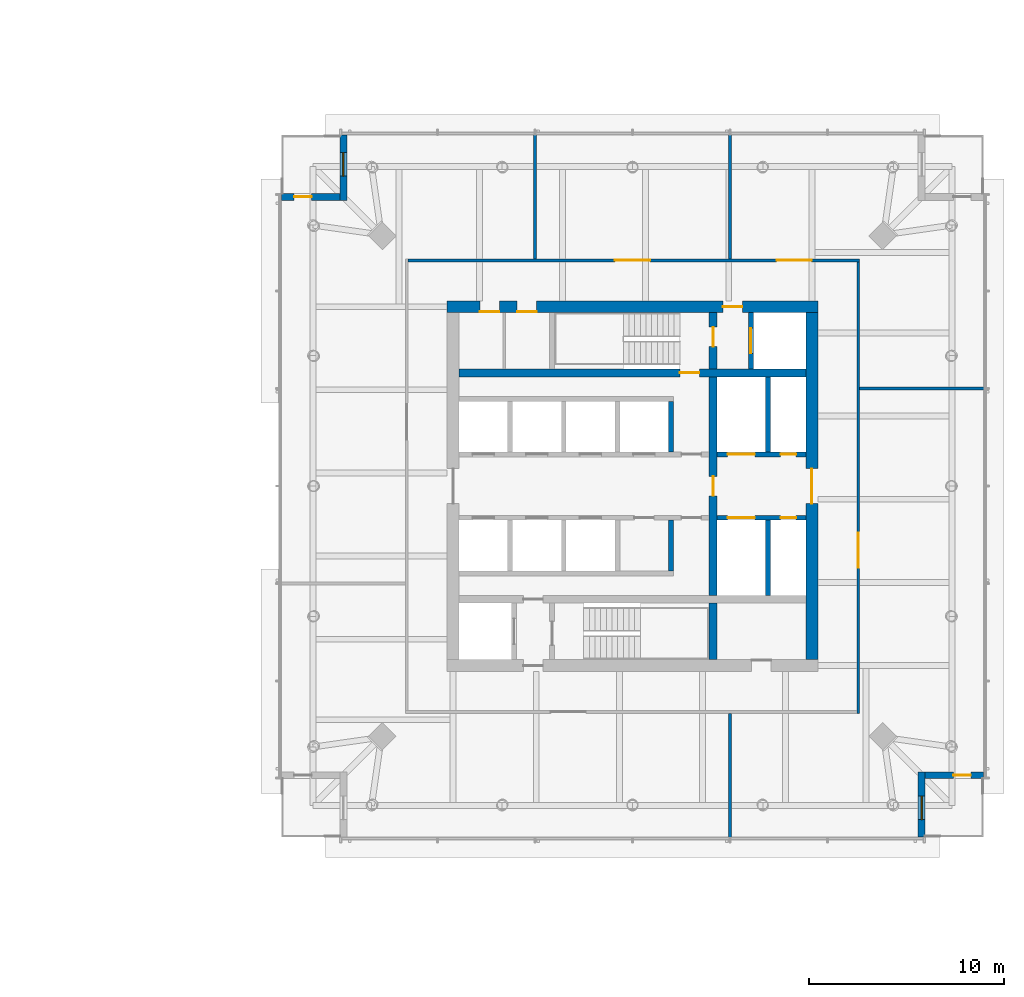
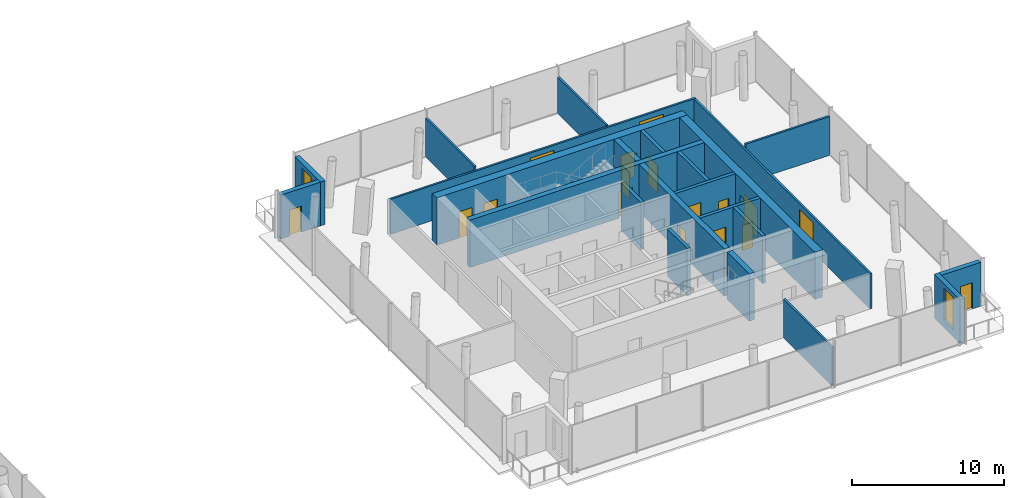
# One storey, part 14 of 28: 23 walls, 17 doors, 2 windows, 19 openings.
"""IFC4 building model written with IfcOpenShell, lengths in metres."""

import ifcopenshell
import ifcopenshell.guid

model = None  # the IFC model being written
_history = None  # IfcOwnerHistory: only IFC2X3 demands one
_inside = {}  # id of a spatial element -> (the spatial element, [elements in it])
_under = {}  # id of a project, library or spatial element -> (it, [spatial elements below it])
_declared = {}  # id of a project -> (the project, [libraries it declares])
_typed = {}  # id of a type object -> (the type object, [elements of that type])
_made_of = {}  # id of a material, layer set ... -> (it, [elements and type objects made of it])


def new_model(schema):
    """Start an empty IFC model of exactly this schema.

    Asked for "IFC4X3", IfcOpenShell would pick the latest addendum, in which some entities
    have other attributes; the version numbers below select the first issue.
    IFC2X3 requires an IfcOwnerHistory on every rooted entity: one is made here for all.
    """
    global model, _history
    if schema == "IFC4X3":
        model = ifcopenshell.file(schema_version=(4, 3, 0, 0))
    else:
        model = ifcopenshell.file(schema=schema)
    _inside.clear()
    _under.clear()
    _declared.clear()
    _typed.clear()
    _made_of.clear()
    _history = None
    if model.schema == "IFC2X3":
        org = make("IfcOrganization", Name="unknown")
        user = make(
            "IfcPersonAndOrganization",
            ThePerson=make("IfcPerson", FamilyName="unknown"),
            TheOrganization=org,
        )
        app = make(
            "IfcApplication",
            ApplicationDeveloper=org,
            Version="unknown",
            ApplicationFullName="unknown",
            ApplicationIdentifier="unknown",
        )
        _history = make(
            "IfcOwnerHistory",
            OwningUser=user,
            OwningApplication=app,
            ChangeAction="ADDED",
            CreationDate=0,
        )
    return model


def make(cls, **values):
    """One entity of the class cls with the attributes given. An attribute that is None is left unset."""
    return model.create_entity(
        cls, **{name: value for name, value in values.items() if value is not None}
    )


def rooted(cls, **values):
    """An entity with a GlobalId (a new one), such as an element, a storey or a relation."""
    return make(cls, GlobalId=ifcopenshell.guid.new(), OwnerHistory=_history, **values)


def si_unit(unit_type, name, prefix=None):
    """IfcSIUnit, for example si_unit("LENGTHUNIT", "METRE", prefix="MILLI")."""
    return make("IfcSIUnit", UnitType=unit_type, Prefix=prefix, Name=name)


def assignment(units):
    """IfcUnitAssignment: the units of a project."""
    return None if units is None else make("IfcUnitAssignment", Units=units)


def point(xyz):
    """IfcCartesianPoint."""
    return None if xyz is None else make("IfcCartesianPoint", Coordinates=xyz)


def direction(xyz):
    """IfcDirection."""
    return None if xyz is None else make("IfcDirection", DirectionRatios=xyz)


def frame(location, z_axis=None, x_axis=None):
    """IfcAxis2Placement3D, a coordinate frame: its origin and axes. An axis left out is left unset."""
    return make(
        "IfcAxis2Placement3D",
        Location=point(location),
        Axis=direction(z_axis),
        RefDirection=direction(x_axis),
    )


def frame_2d(location, x_axis=None):
    """IfcAxis2Placement2D, a coordinate frame in the plane: its origin and x axis."""
    return make(
        "IfcAxis2Placement2D", Location=point(location), RefDirection=direction(x_axis)
    )


def origin():
    """The frame at (0, 0, 0) with its axes left unset."""
    return frame((0.0, 0.0, 0.0))


def place(relative_to, where):
    """IfcLocalPlacement: puts the frame where relative to a parent placement (None: the world)."""
    return make(
        "IfcLocalPlacement", PlacementRelTo=relative_to, RelativePlacement=where
    )


def context(
    kind, dimensions, precision=None, world=None, true_north=None, identifier=None
):
    """IfcGeometricRepresentationContext, for example the 3D "Model" context."""
    return make(
        "IfcGeometricRepresentationContext",
        ContextIdentifier=identifier,
        ContextType=kind,
        CoordinateSpaceDimension=dimensions,
        Precision=precision,
        WorldCoordinateSystem=world,
        TrueNorth=true_north,
    )


def subcontext(parent, identifier, kind, view, scale=None):
    """IfcGeometricRepresentationSubContext, for example "Body" below "Model"."""
    return make(
        "IfcGeometricRepresentationSubContext",
        ContextIdentifier=identifier,
        ContextType=kind,
        ParentContext=parent,
        TargetScale=scale,
        TargetView=view,
    )


def project(units=None, contexts=None):
    """IfcProject with its units and contexts."""
    return rooted(
        "IfcProject",
        Name="project",
        RepresentationContexts=contexts,
        UnitsInContext=assignment(units),
    )


def spatial(cls, under=None, at=None, **own):
    """A site, building, storey or space (cls), placed at a placement, below another one or the project."""
    s = rooted(cls, ObjectPlacement=at, **own)
    if under is not None:
        _under.setdefault(under.id(), (under, []))[1].append(s)
    return s


def profile(cls, at=None, kind="AREA", **sizes):
    """A parametric profile (cls). Its sizes go by their IFC names, for example OverallWidth=200.0."""
    return make(cls, ProfileType=kind, Position=at, **sizes)


def rectangle(**sizes):
    """IfcRectangleProfileDef."""
    return profile("IfcRectangleProfileDef", **sizes)


def extrude(swept, where, along, depth):
    """IfcExtrudedAreaSolid: the profile swept, set in the frame where, extruded along a direction by depth."""
    return make(
        "IfcExtrudedAreaSolid",
        SweptArea=swept,
        Position=where,
        ExtrudedDirection=direction(along),
        Depth=depth,
    )


def shape(context_of_items, identifier, shape_type, items):
    """IfcShapeRepresentation: the items that make up one representation, for example the "Body"."""
    return make(
        "IfcShapeRepresentation",
        ContextOfItems=context_of_items,
        RepresentationIdentifier=identifier,
        RepresentationType=shape_type,
        Items=items,
    )


def material(Name=None, Category=None):
    """IfcMaterial."""
    return make("IfcMaterial", Name=Name, Category=Category)


def layer(
    of_material, thickness, ventilated=None, Name=None, Category=None, Priority=None
):
    """IfcMaterialLayer: one layer of a wall or slab, of a material (None: an air gap)."""
    return make(
        "IfcMaterialLayer",
        Material=of_material,
        LayerThickness=thickness,
        IsVentilated=ventilated,
        Name=Name,
        Category=Category,
        Priority=Priority,
    )


def layer_set(layers, Name=None):
    """IfcMaterialLayerSet."""
    return make("IfcMaterialLayerSet", MaterialLayers=layers, LayerSetName=Name)


def made_of(thing, what):
    """Note that an element or type object is made of a material, layer set ...; save() writes the relation."""
    if what is not None:
        _made_of.setdefault(what.id(), (what, []))[1].append(thing)
    return thing


def type_object(cls, material=None, **own):
    """A type object (cls), such as IfcWallType, which elements share."""
    return made_of(rooted(cls, **own), material)


def element(
    cls,
    number,
    at=None,
    inside=None,
    cuts=None,
    type_object=None,
    material=None,
    context=None,
    identifier="Body",
    shape_type=None,
    held_by="IfcProductDefinitionShape",
    body=None,
    shapes=None,
    **own,
):
    """One element of the class cls, such as IfcWall. Its Tag is "e" and its number.

    at: its placement. inside: the storey or other place that contains it. cuts: it is an
    opening in that element (IfcRelVoidsElement). A single representation is given by context,
    identifier, shape_type and body (its items); several are given by shapes. held_by: the class
    of the entity that holds the representations. save() writes the other relations.
    """
    e = rooted(cls, Tag="e%d" % number, ObjectPlacement=at, **own)
    if body is not None:
        shapes = [shape(context, identifier, shape_type, body)]
    if shapes is not None:
        e.Representation = make(held_by, Representations=shapes)
    if inside is not None:
        _inside.setdefault(inside.id(), (inside, []))[1].append(e)
    if cuts is not None:
        rooted(
            "IfcRelVoidsElement", RelatingBuildingElement=cuts, RelatedOpeningElement=e
        )
    if type_object is not None:
        _typed.setdefault(type_object.id(), (type_object, []))[1].append(e)
    return made_of(e, material)


def fill(opening, filler):
    """IfcRelFillsElement: the door or window that sits in an opening."""
    return rooted(
        "IfcRelFillsElement",
        RelatingOpeningElement=opening,
        RelatedBuildingElement=filler,
    )


def aggregate(whole, parts):
    """IfcRelAggregates: a whole, such as a stair, and the parts it consists of."""
    return rooted("IfcRelAggregates", RelatingObject=whole, RelatedObjects=parts)


def save(model, path):
    """Write the relations noted so far, then the file.

    IfcRelAggregates (storeys below a building ...), IfcRelContainedInSpatialStructure (elements
    in a storey), IfcRelDefinesByType, IfcRelAssociatesMaterial and IfcRelDeclares: one each for
    every whole, place, type object, material and project.
    """
    for whole, parts in _under.values():
        aggregate(whole, parts)
    for where, things in _inside.values():
        rooted(
            "IfcRelContainedInSpatialStructure",
            RelatedElements=things,
            RelatingStructure=where,
        )
    for kind, things in _typed.values():
        rooted("IfcRelDefinesByType", RelatedObjects=things, RelatingType=kind)
    for what, things in _made_of.values():
        rooted("IfcRelAssociatesMaterial", RelatedObjects=things, RelatingMaterial=what)
    for by, libraries in _declared.values():
        rooted("IfcRelDeclares", RelatingContext=by, RelatedDefinitions=libraries)
    model.write(path)


model = new_model("IFC4")

# Units and contexts
model_context = context("Model", 3, precision=1e-05, world=origin(), true_north=direction((0.0, 1.0)))
body_context = subcontext(model_context, "Body", "Model", "MODEL_VIEW")
ifc_project = project(units=[si_unit("LENGTHUNIT", "METRE"), si_unit("AREAUNIT", "SQUARE_METRE"), si_unit("VOLUMEUNIT", "CUBIC_METRE"), si_unit("PLANEANGLEUNIT", "RADIAN"), si_unit("MASSUNIT", "GRAM", prefix="KILO")], contexts=[model_context])

# Site, building, storey
site_placement = place(None, origin())
site = spatial("IfcSite", under=ifc_project, at=site_placement, CompositionType="ELEMENT")
building_placement = place(site_placement, origin())
building = spatial("IfcBuilding", under=site, at=building_placement, Name="Ostroluk Exchange", CompositionType="ELEMENT")
storey_placement = place(building_placement, frame((0.0, 0.0, 81.800048828125)))
storey = spatial("IfcBuildingStorey", under=building, at=storey_placement, Name="L20", CompositionType="ELEMENT", Elevation=81.800048828125)

# Wall
ifc_material_1 = material(Name="Concrete blockwork", Category="masonry")
ifc_layer_1 = layer(ifc_material_1, 0.14990234375)
ifc_layer_set_1 = layer_set([ifc_layer_1], Name="Blockwork plant room wall 150")
wall_type_1 = type_object("IfcWallType", Name="Blockwork plant room wall 150", PredefinedType="SOLIDWALL", material=ifc_layer_set_1)
wall_1_placement = place(storey_placement, frame((122.0, 57.64990234375, 0.0), z_axis=(0.0, 0.0, 1.0), x_axis=(0.0, 1.0, 0.0)))
element("IfcWall", 1, at=wall_1_placement, inside=storey, type_object=wall_type_1, Name="Plant room wall", PredefinedType="SOLIDWALL", context=body_context, shape_type="SweptSolid", body=[
    extrude(rectangle(XDim=6.39013671875, YDim=0.14990234375, at=frame_2d((3.195068359375, 0.0))), origin(), (0.0, 0.0, 1.0), 2.919921875),
])

# Wall, opening, door
ifc_material_2 = material(Name="Concrete C50/60", Category="concrete")
ifc_layer_2 = layer(ifc_material_2, 0.39990234375)
ifc_layer_set_2 = layer_set([ifc_layer_2], Name="Core cross wall 400 C50/60")
wall_type_2 = type_object("IfcWallType", Name="Core cross wall 400 C50/60", PredefinedType="SHEAR", material=ifc_layer_set_2)
wall_2_placement = place(storey_placement, frame((108.10009765625, 51.800048828125, 0.0), z_axis=(0.0, 0.0, 1.0), x_axis=(1.0, 0.0, 0.0)))
wall_2 = element("IfcWall", 2, at=wall_2_placement, inside=storey, type_object=wall_type_2, Name="T2 core wall XN", PredefinedType="SHEAR", context=body_context, shape_type="SweptSolid", body=[
    extrude(rectangle(XDim=17.7998046875, YDim=0.39990234375, at=frame_2d((8.89990234375, 0.0))), origin(), (0.0, 0.0, 1.0), 3.800048828125),
])
opening_1_placement = place(wall_2_placement, frame((11.330078125, 0.0, 0.0)))
opening_1 = element("IfcOpeningElement", 3, at=opening_1_placement, cuts=wall_2, Name="Opening FD60", PredefinedType="OPENING", context=body_context, shape_type="SweptSolid", body=[
    extrude(rectangle(XDim=1.0, YDim=2.10009765625, at=frame_2d((0.5, 1.050048828125))), frame((0.0, 0.2099609375, 0.0), z_axis=(0.0, -1.0, 0.0), x_axis=(1.0, 0.0, 0.0)), (0.0, 0.0, 1.0), 0.419921875),
])
ifc_material_3 = material(Name="Steel", Category="steel")
door_type_1 = type_object("IfcDoorType", Name="Fire door EI 60 1000 x 2100", OperationType="SINGLE_SWING_LEFT", PredefinedType="DOOR", material=ifc_material_3)
door_1_placement = place(opening_1_placement, origin())
door_1 = element("IfcDoor", 4, at=door_1_placement, inside=storey, type_object=door_type_1, Name="Stair T2-S2 lobby door", OperationType="SINGLE_SWING_RIGHT", OverallHeight=2.10009765625, OverallWidth=1.0, PredefinedType="DOOR", context=body_context, shape_type="SweptSolid", body=[
    extrude(rectangle(XDim=1.0, YDim=2.10009765625, at=frame_2d((0.5, 1.050048828125))), frame((0.0, 0.02490234375, 0.0), z_axis=(0.0, -1.0, 0.0), x_axis=(1.0, 0.0, 0.0)), (0.0, 0.0, 1.0), 0.050048828125),
])
fill(opening_1, door_1)

# Wall
wall_3_placement = place(storey_placement, frame((121.1298828125, 37.10009765625, 0.0), z_axis=(0.0, 0.0, 1.0), x_axis=(0.0, 1.0, 0.0)))
element("IfcWall", 5, at=wall_3_placement, inside=storey, type_object=wall_type_2, Name="T2 core wall YE1", PredefinedType="SHEAR", context=body_context, shape_type="SweptSolid", body=[
    extrude(rectangle(XDim=2.89990234375, YDim=0.39990234375, at=frame_2d((1.449951171875, 0.0))), origin(), (0.0, 0.0, 1.0), 3.800048828125),
])

# Wall, opening, door
wall_4_placement = place(storey_placement, frame((121.1298828125, 40.39990234375, 0.0), z_axis=(0.0, 0.0, 1.0), x_axis=(0.0, 1.0, 0.0)))
wall_4 = element("IfcWall", 6, at=wall_4_placement, inside=storey, type_object=wall_type_2, Name="T2 core wall YE2", PredefinedType="SHEAR", context=body_context, shape_type="SweptSolid", body=[
    extrude(rectangle(XDim=11.2001953125, YDim=0.39990234375, at=frame_2d((5.60009765625, 0.0))), origin(), (0.0, 0.0, 1.0), 3.800048828125),
])
opening_2_placement = place(wall_4_placement, frame((5.10009765625, 0.0, 0.0)))
opening_2 = element("IfcOpeningElement", 7, at=opening_2_placement, cuts=wall_4, Name="Opening FD60", PredefinedType="OPENING", context=body_context, shape_type="SweptSolid", body=[
    extrude(rectangle(XDim=1.0, YDim=2.10009765625, at=frame_2d((0.5, 1.050048828125))), frame((0.0, 0.2099609375, 0.0), z_axis=(0.0, -1.0, 0.0), x_axis=(1.0, 0.0, 0.0)), (0.0, 0.0, 1.0), 0.419921875),
])
door_2_placement = place(opening_2_placement, origin())
door_2 = element("IfcDoor", 8, at=door_2_placement, inside=storey, type_object=door_type_1, Name="Core link door", OperationType="SINGLE_SWING_LEFT", OverallHeight=2.10009765625, OverallWidth=1.0, PredefinedType="DOOR", context=body_context, shape_type="SweptSolid", body=[
    extrude(rectangle(XDim=1.0, YDim=2.10009765625, at=frame_2d((0.5, 1.050048828125))), frame((0.0, 0.02490234375, 0.0), z_axis=(0.0, -1.0, 0.0), x_axis=(1.0, 0.0, 0.0)), (0.0, 0.0, 1.0), 0.050048828125),
])
fill(opening_2, door_2)

wall_5_placement = place(storey_placement, frame((121.1298828125, 52.0, 0.0), z_axis=(0.0, 0.0, 1.0), x_axis=(0.0, 1.0, 0.0)))
wall_5 = element("IfcWall", 9, at=wall_5_placement, inside=storey, type_object=wall_type_2, Name="T2 core wall YE3", PredefinedType="SHEAR", context=body_context, shape_type="SweptSolid", body=[
    extrude(rectangle(XDim=2.89990234375, YDim=0.39990234375, at=frame_2d((1.449951171875, 0.0))), origin(), (0.0, 0.0, 1.0), 3.800048828125),
])
opening_3_placement = place(wall_5_placement, frame((1.14990234375, 0.0, 0.0)))
opening_3 = element("IfcOpeningElement", 10, at=opening_3_placement, cuts=wall_5, Name="Opening FD60", PredefinedType="OPENING", context=body_context, shape_type="SweptSolid", body=[
    extrude(rectangle(XDim=1.0, YDim=2.10009765625, at=frame_2d((0.5, 1.050048828125))), frame((0.0, 0.2099609375, 0.0), z_axis=(0.0, -1.0, 0.0), x_axis=(1.0, 0.0, 0.0)), (0.0, 0.0, 1.0), 0.419921875),
])
door_3_placement = place(opening_3_placement, origin())
door_3 = element("IfcDoor", 11, at=door_3_placement, inside=storey, type_object=door_type_1, Name="Stair T2-S2 door", OperationType="SINGLE_SWING_RIGHT", OverallHeight=2.10009765625, OverallWidth=1.0, PredefinedType="DOOR", context=body_context, shape_type="SweptSolid", body=[
    extrude(rectangle(XDim=1.0, YDim=2.10009765625, at=frame_2d((0.5, 1.050048828125))), frame((0.0, 0.02490234375, 0.0), z_axis=(0.0, -1.0, 0.0), x_axis=(1.0, 0.0, 0.0)), (0.0, 0.0, 1.0), 0.050048828125),
])
fill(opening_3, door_3)

ifc_material_4 = material(Name="Concrete C40/50", Category="concrete")
ifc_layer_3 = layer(ifc_material_4, 0.25)
ifc_layer_set_3 = layer_set([ifc_layer_3], Name="Core shaft wall 250")
wall_type_3 = type_object("IfcWallType", Name="Core shaft wall 250", PredefinedType="SHEAR", material=ifc_layer_set_3)
wall_6_placement = place(storey_placement, frame((123.074951171875, 52.0, 0.0), z_axis=(0.0, 0.0, 1.0), x_axis=(0.0, 1.0, 0.0)))
wall_6 = element("IfcWall", 12, at=wall_6_placement, inside=storey, type_object=wall_type_3, Name="Firefighting lift shaft wall", PredefinedType="SHEAR", context=body_context, shape_type="SweptSolid", body=[
    extrude(rectangle(XDim=2.89990234375, YDim=0.25, at=frame_2d((1.449951171875, 0.0))), origin(), (0.0, 0.0, 1.0), 3.800048828125),
])
opening_4_placement = place(wall_6_placement, frame((0.800048828125, 0.0, 0.0)))
opening_4 = element("IfcOpeningElement", 13, at=opening_4_placement, cuts=wall_6, Name="Opening LD2", PredefinedType="OPENING", context=body_context, shape_type="SweptSolid", body=[
    extrude(rectangle(XDim=1.300048828125, YDim=2.199951171875, at=frame_2d((0.64990234375, 1.10009765625))), frame((0.0, 0.135009765625, 0.0), z_axis=(0.0, -1.0, 0.0), x_axis=(1.0, 0.0, 0.0)), (0.0, 0.0, 1.0), 0.27001953125),
])
ifc_material_5 = material(Name="Stainless steel", Category="steel")
door_type_2 = type_object("IfcDoorType", Name="Lift landing door E 60 1300 x 2200", OperationType="DOUBLE_DOOR_SLIDING", PredefinedType="DOOR", material=ifc_material_5)
door_4_placement = place(opening_4_placement, origin())
door_4 = element("IfcDoor", 14, at=door_4_placement, inside=storey, type_object=door_type_2, Name="Lift HF2 landing door", OperationType="DOUBLE_DOOR_SLIDING", OverallHeight=2.199951171875, OverallWidth=1.300048828125, PredefinedType="DOOR", context=body_context, shape_type="SweptSolid", body=[
    extrude(rectangle(XDim=1.300048828125, YDim=2.199951171875, at=frame_2d((0.64990234375, 1.10009765625))), frame((0.0, 0.02490234375, 0.0), z_axis=(0.0, -1.0, 0.0), x_axis=(1.0, 0.0, 0.0)), (0.0, 0.0, 1.0), 0.050048828125),
])
fill(opening_4, door_4)

# Walls
for number, where, z_axis, x_axis, name in (
    (15, (118.97509765625, 47.75, 0.0), (0.0, 0.0, 1.0), (0.0, 1.0, 0.0), "Lift shaft wall"),
    (16, (118.97509765625, 44.25, 0.0), (0.0, 0.0, 1.0), (0.0, -1.0, 0.0), "Lift shaft wall"),
):
    element("IfcWall", number, at=place(storey_placement, frame(where, z_axis=z_axis, x_axis=x_axis)), inside=storey, type_object=wall_type_3, Name=name, PredefinedType="SHEAR", context=body_context, shape_type="SweptSolid", body=[
        extrude(rectangle(XDim=2.60009765625, YDim=0.25, at=frame_2d((1.300048828125, 0.0))), origin(), (0.0, 0.0, 1.0), 3.800048828125),
    ])
wall_7_placement = place(storey_placement, frame((123.955078125, 47.75, 0.0), z_axis=(0.0, 0.0, 1.0), x_axis=(0.0, 1.0, 0.0)))
element("IfcWall", 17, at=wall_7_placement, inside=storey, type_object=wall_type_3, Name="Lift shaft wall", PredefinedType="SHEAR", context=body_context, shape_type="SweptSolid", body=[
    extrude(rectangle(XDim=3.85009765625, YDim=0.25, at=frame_2d((1.925048828125, 0.0))), origin(), (0.0, 0.0, 1.0), 3.800048828125),
])

# Wall, openings, doors
wall_8_placement = place(storey_placement, frame((121.330078125, 47.625, 0.0), z_axis=(0.0, 0.0, 1.0), x_axis=(1.0, 0.0, 0.0)))
wall_8 = element("IfcWall", 18, at=wall_8_placement, inside=storey, type_object=wall_type_3, Name="Lift shaft front wall", PredefinedType="SHEAR", context=body_context, shape_type="SweptSolid", body=[
    extrude(rectangle(XDim=4.56982421875, YDim=0.25, at=frame_2d((2.284912109375, 0.0))), origin(), (0.0, 0.0, 1.0), 3.800048828125),
])
opening_5_placement = place(wall_8_placement, frame((0.550048828125, 0.0, 0.0)))
opening_5 = element("IfcOpeningElement", 19, at=opening_5_placement, cuts=wall_8, Name="Opening LD3", PredefinedType="OPENING", context=body_context, shape_type="SweptSolid", body=[
    extrude(rectangle(XDim=1.39990234375, YDim=2.39990234375, at=frame_2d((0.699951171875, 1.199951171875))), frame((0.0, 0.135009765625, 0.0), z_axis=(0.0, -1.0, 0.0), x_axis=(1.0, 0.0, 0.0)), (0.0, 0.0, 1.0), 0.27001953125),
])
opening_6_placement = place(wall_8_placement, frame((3.260009765625, 0.0, 0.0)))
opening_6 = element("IfcOpeningElement", 20, at=opening_6_placement, cuts=wall_8, Name="Opening RD60", PredefinedType="OPENING", context=body_context, shape_type="SweptSolid", body=[
    extrude(rectangle(XDim=0.800048828125, YDim=2.0, at=frame_2d((0.39990234375, 1.0))), frame((0.0, 0.135009765625, 0.0), z_axis=(0.0, -1.0, 0.0), x_axis=(1.0, 0.0, 0.0)), (0.0, 0.0, 1.0), 0.27001953125),
])
ifc_material_6 = material(Name="Stainless steel", Category="steel")
door_type_3 = type_object("IfcDoorType", Name="Goods lift landing door E 60 1400 x 2400", OperationType="DOUBLE_DOOR_SLIDING", PredefinedType="DOOR", material=ifc_material_6)
door_5_placement = place(opening_5_placement, origin())
door_5 = element("IfcDoor", 21, at=door_5_placement, inside=storey, type_object=door_type_3, Name="Lift HS1 landing door", OperationType="DOUBLE_DOOR_SLIDING", OverallHeight=2.39990234375, OverallWidth=1.39990234375, PredefinedType="DOOR", context=body_context, shape_type="SweptSolid", body=[
    extrude(rectangle(XDim=1.39990234375, YDim=2.39990234375, at=frame_2d((0.699951171875, 1.199951171875))), frame((0.0, 0.02490234375, 0.0), z_axis=(0.0, -1.0, 0.0), x_axis=(1.0, 0.0, 0.0)), (0.0, 0.0, 1.0), 0.050048828125),
])
fill(opening_5, door_5)
ifc_material_7 = material(Name="Steel", Category="steel")
door_type_4 = type_object("IfcDoorType", Name="Riser access door EI 60 800 x 2000", OperationType="SINGLE_SWING_LEFT", PredefinedType="DOOR", material=ifc_material_7)
door_6_placement = place(opening_6_placement, origin())
door_6 = element("IfcDoor", 22, at=door_6_placement, inside=storey, type_object=door_type_4, Name="Riser access door", OperationType="SINGLE_SWING_RIGHT", OverallHeight=2.0, OverallWidth=0.800048828125, PredefinedType="DOOR", context=body_context, shape_type="SweptSolid", body=[
    extrude(rectangle(XDim=0.800048828125, YDim=2.0, at=frame_2d((0.39990234375, 1.0))), frame((0.0, 0.02490234375, 0.0), z_axis=(0.0, -1.0, 0.0), x_axis=(1.0, 0.0, 0.0)), (0.0, 0.0, 1.0), 0.050048828125),
])
fill(opening_6, door_6)

# Wall
wall_9_placement = place(storey_placement, frame((123.955078125, 44.25, 0.0), z_axis=(0.0, 0.0, 1.0), x_axis=(0.0, -1.0, 0.0)))
element("IfcWall", 23, at=wall_9_placement, inside=storey, type_object=wall_type_3, Name="Lift shaft wall", PredefinedType="SHEAR", context=body_context, shape_type="SweptSolid", body=[
    extrude(rectangle(XDim=3.85009765625, YDim=0.25, at=frame_2d((1.925048828125, 0.0))), origin(), (0.0, 0.0, 1.0), 3.800048828125),
])

# Wall, openings, doors
wall_10_placement = place(storey_placement, frame((121.330078125, 44.375, 0.0), z_axis=(0.0, 0.0, 1.0), x_axis=(1.0, 0.0, 0.0)))
wall_10 = element("IfcWall", 24, at=wall_10_placement, inside=storey, type_object=wall_type_3, Name="Lift shaft front wall", PredefinedType="SHEAR", context=body_context, shape_type="SweptSolid", body=[
    extrude(rectangle(XDim=4.56982421875, YDim=0.25, at=frame_2d((2.284912109375, 0.0))), origin(), (0.0, 0.0, 1.0), 3.800048828125),
])
opening_7_placement = place(wall_10_placement, frame((0.550048828125, 0.0, 0.0)))
opening_7 = element("IfcOpeningElement", 25, at=opening_7_placement, cuts=wall_10, Name="Opening LD3", PredefinedType="OPENING", context=body_context, shape_type="SweptSolid", body=[
    extrude(rectangle(XDim=1.39990234375, YDim=2.39990234375, at=frame_2d((0.699951171875, 1.199951171875))), frame((0.0, 0.135009765625, 0.0), z_axis=(0.0, -1.0, 0.0), x_axis=(1.0, 0.0, 0.0)), (0.0, 0.0, 1.0), 0.27001953125),
])
opening_8_placement = place(wall_10_placement, frame((3.260009765625, 0.0, 0.0)))
opening_8 = element("IfcOpeningElement", 26, at=opening_8_placement, cuts=wall_10, Name="Opening RD60", PredefinedType="OPENING", context=body_context, shape_type="SweptSolid", body=[
    extrude(rectangle(XDim=0.800048828125, YDim=2.0, at=frame_2d((0.39990234375, 1.0))), frame((0.0, 0.135009765625, 0.0), z_axis=(0.0, -1.0, 0.0), x_axis=(1.0, 0.0, 0.0)), (0.0, 0.0, 1.0), 0.27001953125),
])
door_7_placement = place(opening_7_placement, origin())
door_7 = element("IfcDoor", 27, at=door_7_placement, inside=storey, type_object=door_type_3, Name="Lift HS2 landing door", OperationType="DOUBLE_DOOR_SLIDING", OverallHeight=2.39990234375, OverallWidth=1.39990234375, PredefinedType="DOOR", context=body_context, shape_type="SweptSolid", body=[
    extrude(rectangle(XDim=1.39990234375, YDim=2.39990234375, at=frame_2d((0.699951171875, 1.199951171875))), frame((0.0, 0.02490234375, 0.0), z_axis=(0.0, -1.0, 0.0), x_axis=(1.0, 0.0, 0.0)), (0.0, 0.0, 1.0), 0.050048828125),
])
fill(opening_7, door_7)
door_8_placement = place(opening_8_placement, origin())
door_8 = element("IfcDoor", 28, at=door_8_placement, inside=storey, type_object=door_type_4, Name="Riser access door", OperationType="SINGLE_SWING_RIGHT", OverallHeight=2.0, OverallWidth=0.800048828125, PredefinedType="DOOR", context=body_context, shape_type="SweptSolid", body=[
    extrude(rectangle(XDim=0.800048828125, YDim=2.0, at=frame_2d((0.39990234375, 1.0))), frame((0.0, 0.02490234375, 0.0), z_axis=(0.0, -1.0, 0.0), x_axis=(1.0, 0.0, 0.0)), (0.0, 0.0, 1.0), 0.050048828125),
])
fill(opening_8, door_8)

ifc_material_8 = material(Name="Concrete C50/60", Category="concrete")
ifc_layer_4 = layer(ifc_material_8, 0.60009765625)
ifc_layer_set_4 = layer_set([ifc_layer_4], Name="Core wall 600 C50/60")
wall_type_4 = type_object("IfcWallType", Name="Core wall 600 C50/60", PredefinedType="SHEAR", material=ifc_layer_set_4)
wall_11_placement = place(storey_placement, frame((107.5, 55.199951171875, 0.0), z_axis=(0.0, 0.0, 1.0), x_axis=(1.0, 0.0, 0.0)))
wall_11 = element("IfcWall", 29, at=wall_11_placement, inside=storey, type_object=wall_type_4, Name="T2 core wall N", PredefinedType="SHEAR", context=body_context, shape_type="SweptSolid", body=[
    extrude(rectangle(XDim=19.0, YDim=0.60009765625, at=frame_2d((9.5, 0.0))), origin(), (0.0, 0.0, 1.0), 3.800048828125),
])
opening_9_placement = place(wall_11_placement, frame((14.139892578125, 0.0, 0.0)))
opening_9 = element("IfcOpeningElement", 30, at=opening_9_placement, cuts=wall_11, Name="Opening FD60", PredefinedType="OPENING", context=body_context, shape_type="SweptSolid", body=[
    extrude(rectangle(XDim=1.0, YDim=2.10009765625, at=frame_2d((0.5, 1.050048828125))), frame((0.0, 0.31005859375, 0.0), z_axis=(0.0, -1.0, 0.0), x_axis=(1.0, 0.0, 0.0)), (0.0, 0.0, 1.0), 0.6201171875),
])
opening_10_placement = place(wall_11_placement, frame((1.675048828125, 0.0, 0.0)))
opening_10 = element("IfcOpeningElement", 31, at=opening_10_placement, cuts=wall_11, Name="Opening FD60", PredefinedType="OPENING", context=body_context, shape_type="SweptSolid", body=[
    extrude(rectangle(XDim=1.0, YDim=2.10009765625, at=frame_2d((0.5, 1.050048828125))), frame((0.0, 0.31005859375, 0.0), z_axis=(0.0, -1.0, 0.0), x_axis=(1.0, 0.0, 0.0)), (0.0, 0.0, 1.0), 0.6201171875),
])
opening_11_placement = place(wall_11_placement, frame((3.58740234375, 0.0, 0.0)))
opening_11 = element("IfcOpeningElement", 32, at=opening_11_placement, cuts=wall_11, Name="Opening FD60", PredefinedType="OPENING", context=body_context, shape_type="SweptSolid", body=[
    extrude(rectangle(XDim=1.0, YDim=2.10009765625, at=frame_2d((0.5, 1.050048828125))), frame((0.0, 0.31005859375, 0.0), z_axis=(0.0, -1.0, 0.0), x_axis=(1.0, 0.0, 0.0)), (0.0, 0.0, 1.0), 0.6201171875),
])
door_9_placement = place(opening_9_placement, origin())
door_9 = element("IfcDoor", 33, at=door_9_placement, inside=storey, type_object=door_type_1, Name="Firefighting lobby door", OperationType="SINGLE_SWING_RIGHT", OverallHeight=2.10009765625, OverallWidth=1.0, PredefinedType="DOOR", context=body_context, shape_type="SweptSolid", body=[
    extrude(rectangle(XDim=1.0, YDim=2.10009765625, at=frame_2d((0.5, 1.050048828125))), frame((0.0, 0.02490234375, 0.0), z_axis=(0.0, -1.0, 0.0), x_axis=(1.0, 0.0, 0.0)), (0.0, 0.0, 1.0), 0.050048828125),
])
fill(opening_9, door_9)
door_10_placement = place(opening_10_placement, origin())
door_10 = element("IfcDoor", 34, at=door_10_placement, inside=storey, type_object=door_type_1, Name="Plant control room door", OperationType="SINGLE_SWING_LEFT", OverallHeight=2.10009765625, OverallWidth=1.0, PredefinedType="DOOR", context=body_context, shape_type="SweptSolid", body=[
    extrude(rectangle(XDim=1.0, YDim=2.10009765625, at=frame_2d((0.5, 1.050048828125))), frame((0.0, -0.23974609375, 0.0), z_axis=(0.0, -1.0, 0.0), x_axis=(1.0, 0.0, 0.0)), (0.0, 0.0, 1.0), 0.050048828125),
])
fill(opening_10, door_10)
door_11_placement = place(opening_11_placement, origin())
door_11 = element("IfcDoor", 35, at=door_11_placement, inside=storey, type_object=door_type_1, Name="Plant control room door", OperationType="SINGLE_SWING_LEFT", OverallHeight=2.10009765625, OverallWidth=1.0, PredefinedType="DOOR", context=body_context, shape_type="SweptSolid", body=[
    extrude(rectangle(XDim=1.0, YDim=2.10009765625, at=frame_2d((0.5, 1.050048828125))), frame((0.0, -0.23974609375, 0.0), z_axis=(0.0, -1.0, 0.0), x_axis=(1.0, 0.0, 0.0)), (0.0, 0.0, 1.0), 0.050048828125),
])
fill(opening_11, door_11)

# Wall, opening, door
wall_12_placement = place(storey_placement, frame((126.199951171875, 37.10009765625, 0.0), z_axis=(0.0, 0.0, 1.0), x_axis=(0.0, 1.0, 0.0)))
wall_12 = element("IfcWall", 36, at=wall_12_placement, inside=storey, type_object=wall_type_4, Name="T2 core wall E", PredefinedType="SHEAR", context=body_context, shape_type="SweptSolid", body=[
    extrude(rectangle(XDim=17.7998046875, YDim=0.60009765625, at=frame_2d((8.89990234375, 0.0))), origin(), (0.0, 0.0, 1.0), 3.800048828125),
])
opening_12_placement = place(wall_12_placement, frame((8.0, 0.0, 0.0)))
opening_12 = element("IfcOpeningElement", 37, at=opening_12_placement, cuts=wall_12, Name="Opening FD30D", PredefinedType="OPENING", context=body_context, shape_type="SweptSolid", body=[
    extrude(rectangle(XDim=1.800048828125, YDim=2.39990234375, at=frame_2d((0.89990234375, 1.199951171875))), frame((0.0, 0.31005859375, 0.0), z_axis=(0.0, -1.0, 0.0), x_axis=(1.0, 0.0, 0.0)), (0.0, 0.0, 1.0), 0.6201171875),
])
ifc_material_9 = material(Name="Timber", Category="wood")
door_type_5 = type_object("IfcDoorType", Name="Lobby double door EI 30 1800 x 2400", OperationType="DOUBLE_DOOR_SINGLE_SWING", PredefinedType="DOOR", material=ifc_material_9)
door_12_placement = place(opening_12_placement, origin())
door_12 = element("IfcDoor", 38, at=door_12_placement, inside=storey, type_object=door_type_5, Name="Lift lobby doors", OperationType="DOUBLE_DOOR_SINGLE_SWING", OverallHeight=2.39990234375, OverallWidth=1.800048828125, PredefinedType="DOOR", context=body_context, shape_type="SweptSolid", body=[
    extrude(rectangle(XDim=1.800048828125, YDim=2.39990234375, at=frame_2d((0.89990234375, 1.199951171875))), frame((0.0, 0.02490234375, 0.0), z_axis=(0.0, -1.0, 0.0), x_axis=(1.0, 0.0, 0.0)), (0.0, 0.0, 1.0), 0.050048828125),
])
fill(opening_12, door_12)

# Wall, opening, window
ifc_material_10 = material(Name="Limestone", Category="masonry")
ifc_layer_5 = layer(ifc_material_10, 0.35009765625)
ifc_layer_set_5 = layer_set([ifc_layer_5], Name="Limestone facade wall 350")
wall_type_5 = type_object("IfcWallType", Name="Limestone facade wall 350", PredefinedType="SOLIDWALL", material=ifc_layer_set_5)
wall_13_placement = place(storey_placement, frame((131.824951171875, 28.0, 0.0), z_axis=(0.0, 0.0, 1.0), x_axis=(0.0, 1.0, 0.0)))
wall_13 = element("IfcWall", 39, at=wall_13_placement, inside=storey, type_object=wall_type_5, Name="Hotel tower SE corner wall L20 a", PredefinedType="SOLIDWALL", context=body_context, shape_type="SweptSolid", body=[
    extrude(rectangle(XDim=3.35009765625, YDim=0.35009765625, at=frame_2d((1.675048828125, 0.0))), origin(), (0.0, 0.0, 1.0), 3.52001953125),
])
opening_13_placement = place(wall_13_placement, frame((0.89990234375, 0.0, 0.60009765625)))
opening_13 = element("IfcOpeningElement", 40, at=opening_13_placement, cuts=wall_13, Name="Opening WN-LV1", PredefinedType="OPENING", context=body_context, shape_type="SweptSolid", body=[
    extrude(rectangle(XDim=1.199951171875, YDim=2.550048828125, at=frame_2d((0.60009765625, 1.27490234375))), frame((0.0, 0.18505859375, 0.0), z_axis=(0.0, -1.0, 0.0), x_axis=(1.0, 0.0, 0.0)), (0.0, 0.0, 1.0), 0.3701171875),
])
ifc_material_11 = material(Name="Aluminium louvre", Category="aluminium")
window_type = type_object("IfcWindowType", Name="Lancet louvre 1200 x 2550", PartitioningType="SINGLE_PANEL", PredefinedType="USERDEFINED", material=ifc_material_11)
window_1_placement = place(opening_13_placement, origin())
window_1 = element("IfcWindow", 41, at=window_1_placement, inside=storey, type_object=window_type, Name="Hotel tower SE plant louvre L20", ObjectType="LOUVRE", OverallHeight=2.550048828125, OverallWidth=1.199951171875, PartitioningType="SINGLE_PANEL", PredefinedType="USERDEFINED", context=body_context, shape_type="SweptSolid", body=[
    extrude(rectangle(XDim=1.199951171875, YDim=2.550048828125, at=frame_2d((0.60009765625, 1.27490234375))), frame((0.0, 0.030029296875, 0.0), z_axis=(0.0, -1.0, 0.0), x_axis=(1.0, 0.0, 0.0)), (0.0, 0.0, 1.0), 0.06005859375),
])
fill(opening_13, window_1)

# Wall, opening, door
wall_14_placement = place(storey_placement, frame((132.0, 31.175048828125, 0.0), z_axis=(0.0, 0.0, 1.0), x_axis=(1.0, 0.0, 0.0)))
wall_14 = element("IfcWall", 42, at=wall_14_placement, inside=storey, type_object=wall_type_5, Name="Hotel tower SE corner wall L20 b", PredefinedType="SOLIDWALL", context=body_context, shape_type="SweptSolid", body=[
    extrude(rectangle(XDim=3.0, YDim=0.35009765625, at=frame_2d((1.5, 0.0))), origin(), (0.0, 0.0, 1.0), 3.52001953125),
])
opening_14_placement = place(wall_14_placement, frame((1.449951171875, 0.0, 0.0)))
opening_14 = element("IfcOpeningElement", 43, at=opening_14_placement, cuts=wall_14, Name="Opening D-M1", PredefinedType="OPENING", context=body_context, shape_type="SweptSolid", body=[
    extrude(rectangle(XDim=0.89990234375, YDim=2.10009765625, at=frame_2d((0.449951171875, 1.050048828125))), frame((0.0, 0.18505859375, 0.0), z_axis=(0.0, -1.0, 0.0), x_axis=(1.0, 0.0, 0.0)), (0.0, 0.0, 1.0), 0.3701171875),
])
ifc_material_12 = material(Name="Steel door", Category="steel")
door_type_6 = type_object("IfcDoorType", Name="Maintenance access door 900 x 2100", OperationType="SINGLE_SWING_LEFT", PredefinedType="DOOR", material=ifc_material_12)
door_13_placement = place(opening_14_placement, origin())
door_13 = element("IfcDoor", 44, at=door_13_placement, inside=storey, type_object=door_type_6, Name="Maintenance access door T2 L20 SE", OperationType="SINGLE_SWING_RIGHT", OverallHeight=2.10009765625, OverallWidth=0.89990234375, PredefinedType="DOOR", context=body_context, shape_type="SweptSolid", body=[
    extrude(rectangle(XDim=0.89990234375, YDim=2.10009765625, at=frame_2d((0.449951171875, 1.050048828125))), frame((0.0, 0.02490234375, 0.0), z_axis=(0.0, -1.0, 0.0), x_axis=(1.0, 0.0, 0.0)), (0.0, 0.0, 1.0), 0.050048828125),
])
fill(opening_14, door_13)

# Wall, opening, window
wall_15_placement = place(storey_placement, frame((102.175048828125, 64.0, 0.0), z_axis=(0.0, 0.0, 1.0), x_axis=(0.0, -1.0, 0.0)))
wall_15 = element("IfcWall", 45, at=wall_15_placement, inside=storey, type_object=wall_type_5, Name="Hotel tower NW corner wall L20 a", PredefinedType="SOLIDWALL", context=body_context, shape_type="SweptSolid", body=[
    extrude(rectangle(XDim=3.35009765625, YDim=0.35009765625, at=frame_2d((1.675048828125, 0.0))), origin(), (0.0, 0.0, 1.0), 3.52001953125),
])
opening_15_placement = place(wall_15_placement, frame((0.89990234375, 0.0, 0.60009765625)))
opening_15 = element("IfcOpeningElement", 46, at=opening_15_placement, cuts=wall_15, Name="Opening WN-LV1", PredefinedType="OPENING", context=body_context, shape_type="SweptSolid", body=[
    extrude(rectangle(XDim=1.199951171875, YDim=2.550048828125, at=frame_2d((0.60009765625, 1.27490234375))), frame((0.0, 0.18505859375, 0.0), z_axis=(0.0, -1.0, 0.0), x_axis=(1.0, 0.0, 0.0)), (0.0, 0.0, 1.0), 0.3701171875),
])
window_2_placement = place(opening_15_placement, origin())
window_2 = element("IfcWindow", 47, at=window_2_placement, inside=storey, type_object=window_type, Name="Hotel tower NW plant louvre L20", ObjectType="LOUVRE", OverallHeight=2.550048828125, OverallWidth=1.199951171875, PartitioningType="SINGLE_PANEL", PredefinedType="USERDEFINED", context=body_context, shape_type="SweptSolid", body=[
    extrude(rectangle(XDim=1.199951171875, YDim=2.550048828125, at=frame_2d((0.60009765625, 1.27490234375))), frame((0.0, 0.030029296875, 0.0), z_axis=(0.0, -1.0, 0.0), x_axis=(1.0, 0.0, 0.0)), (0.0, 0.0, 1.0), 0.06005859375),
])
fill(opening_15, window_2)

# Wall, opening, door
wall_16_placement = place(storey_placement, frame((102.0, 60.824951171875, 0.0), z_axis=(0.0, 0.0, 1.0), x_axis=(-1.0, 0.0, 0.0)))
wall_16 = element("IfcWall", 48, at=wall_16_placement, inside=storey, type_object=wall_type_5, Name="Hotel tower NW corner wall L20 b", PredefinedType="SOLIDWALL", context=body_context, shape_type="SweptSolid", body=[
    extrude(rectangle(XDim=3.0, YDim=0.35009765625, at=frame_2d((1.5, 0.0))), origin(), (0.0, 0.0, 1.0), 3.52001953125),
])
opening_16_placement = place(wall_16_placement, frame((1.449951171875, 0.0, 0.0)))
opening_16 = element("IfcOpeningElement", 49, at=opening_16_placement, cuts=wall_16, Name="Opening D-M1", PredefinedType="OPENING", context=body_context, shape_type="SweptSolid", body=[
    extrude(rectangle(XDim=0.89990234375, YDim=2.10009765625, at=frame_2d((0.449951171875, 1.050048828125))), frame((0.0, 0.18505859375, 0.0), z_axis=(0.0, -1.0, 0.0), x_axis=(1.0, 0.0, 0.0)), (0.0, 0.0, 1.0), 0.3701171875),
])
door_14_placement = place(opening_16_placement, origin())
door_14 = element("IfcDoor", 50, at=door_14_placement, inside=storey, type_object=door_type_6, Name="Maintenance access door T2 L20 NW", OperationType="SINGLE_SWING_RIGHT", OverallHeight=2.10009765625, OverallWidth=0.89990234375, PredefinedType="DOOR", context=body_context, shape_type="SweptSolid", body=[
    extrude(rectangle(XDim=0.89990234375, YDim=2.10009765625, at=frame_2d((0.449951171875, 1.050048828125))), frame((0.0, 0.02490234375, 0.0), z_axis=(0.0, -1.0, 0.0), x_axis=(1.0, 0.0, 0.0)), (0.0, 0.0, 1.0), 0.050048828125),
])
fill(opening_16, door_14)

ifc_material_13 = material(Name="Gypsum plasterboard partition", Category="gypsum")
ifc_layer_6 = layer(ifc_material_13, 0.14990234375)
ifc_layer_set_6 = layer_set([ifc_layer_6], Name="Plasterboard partition 150")
wall_type_6 = type_object("IfcWallType", Name="Plasterboard partition 150", PredefinedType="PARTITIONING", material=ifc_layer_set_6)
wall_17_placement = place(storey_placement, frame((128.574951171875, 34.35009765625, 0.0), z_axis=(0.0, 0.0, 1.0), x_axis=(0.0, 1.0, 0.0)))
wall_17 = element("IfcWall", 51, at=wall_17_placement, inside=storey, type_object=wall_type_6, Name="Partition", PredefinedType="PARTITIONING", context=body_context, shape_type="SweptSolid", body=[
    extrude(rectangle(XDim=23.14990234375, YDim=0.14990234375, at=frame_2d((11.574951171875, 0.0))), origin(), (0.0, 0.0, 1.0), 2.820068359375),
])
opening_17_placement = place(wall_17_placement, frame((7.46240234375, 0.0, 0.0)))
opening_17 = element("IfcOpeningElement", 52, at=opening_17_placement, cuts=wall_17, Name="Opening D-04", PredefinedType="OPENING", context=body_context, shape_type="SweptSolid", body=[
    extrude(rectangle(XDim=1.800048828125, YDim=2.39990234375, at=frame_2d((0.89990234375, 1.199951171875))), frame((0.0, 0.0849609375, 0.0), z_axis=(0.0, -1.0, 0.0), x_axis=(1.0, 0.0, 0.0)), (0.0, 0.0, 1.0), 0.169921875),
])
ifc_material_14 = material(Name="Timber", Category="wood")
door_type_7 = type_object("IfcDoorType", Name="Double door 1800 x 2400", OperationType="DOUBLE_DOOR_SINGLE_SWING", PredefinedType="DOOR", material=ifc_material_14)
door_15_placement = place(opening_17_placement, origin())
door_15 = element("IfcDoor", 53, at=door_15_placement, inside=storey, type_object=door_type_7, Name="Refuge area door", OperationType="DOUBLE_DOOR_SINGLE_SWING", OverallHeight=2.39990234375, OverallWidth=1.800048828125, PredefinedType="DOOR", context=body_context, shape_type="SweptSolid", body=[
    extrude(rectangle(XDim=1.800048828125, YDim=2.39990234375, at=frame_2d((0.89990234375, 1.199951171875))), frame((0.0, 0.02490234375, 0.0), z_axis=(0.0, -1.0, 0.0), x_axis=(1.0, 0.0, 0.0)), (0.0, 0.0, 1.0), 0.050048828125),
])
fill(opening_17, door_15)

# Wall
wall_18_placement = place(storey_placement, frame((128.64990234375, 51.0, 0.0), z_axis=(0.0, 0.0, 1.0), x_axis=(1.0, 0.0, 0.0)))
element("IfcWall", 54, at=wall_18_placement, inside=storey, type_object=wall_type_6, Name="Partition", PredefinedType="PARTITIONING", context=body_context, shape_type="SweptSolid", body=[
    extrude(rectangle(XDim=6.39013671875, YDim=0.14990234375, at=frame_2d((3.195068359375, 0.0))), origin(), (0.0, 0.0, 1.0), 3.119873046875),
])

# Wall, openings, doors
wall_19_placement = place(storey_placement, frame((128.64990234375, 57.574951171875, 0.0), z_axis=(0.0, 0.0, 1.0), x_axis=(-1.0, 0.0, 0.0)))
wall_19 = element("IfcWall", 55, at=wall_19_placement, inside=storey, type_object=wall_type_6, Name="Partition", PredefinedType="PARTITIONING", context=body_context, shape_type="SweptSolid", body=[
    extrude(rectangle(XDim=23.14990234375, YDim=0.14990234375, at=frame_2d((11.574951171875, 0.0))), origin(), (0.0, 0.0, 1.0), 2.820068359375),
])
opening_18_placement = place(wall_19_placement, frame((2.46240234375, 0.0, 0.0)))
opening_18 = element("IfcOpeningElement", 56, at=opening_18_placement, cuts=wall_19, Name="Opening D-05", PredefinedType="OPENING", context=body_context, shape_type="SweptSolid", body=[
    extrude(rectangle(XDim=1.800048828125, YDim=2.39990234375, at=frame_2d((0.89990234375, 1.199951171875))), frame((0.0, 0.0849609375, 0.0), z_axis=(0.0, -1.0, 0.0), x_axis=(1.0, 0.0, 0.0)), (0.0, 0.0, 1.0), 0.169921875),
])
opening_19_placement = place(wall_19_placement, frame((10.75, 0.0, 0.0)))
opening_19 = element("IfcOpeningElement", 57, at=opening_19_placement, cuts=wall_19, Name="Opening D-05", PredefinedType="OPENING", context=body_context, shape_type="SweptSolid", body=[
    extrude(rectangle(XDim=1.800048828125, YDim=2.39990234375, at=frame_2d((0.89990234375, 1.199951171875))), frame((0.0, 0.0849609375, 0.0), z_axis=(0.0, -1.0, 0.0), x_axis=(1.0, 0.0, 0.0)), (0.0, 0.0, 1.0), 0.169921875),
])
ifc_material_15 = material(Name="Steel", Category="steel")
door_type_8 = type_object("IfcDoorType", Name="Plant room double door EI 60 1800 x 2400", OperationType="DOUBLE_DOOR_SINGLE_SWING", PredefinedType="DOOR", material=ifc_material_15)
door_16_placement = place(opening_18_placement, origin())
door_16 = element("IfcDoor", 58, at=door_16_placement, inside=storey, type_object=door_type_8, Name="Water tank room door", OperationType="DOUBLE_DOOR_SINGLE_SWING", OverallHeight=2.39990234375, OverallWidth=1.800048828125, PredefinedType="DOOR", context=body_context, shape_type="SweptSolid", body=[
    extrude(rectangle(XDim=1.800048828125, YDim=2.39990234375, at=frame_2d((0.89990234375, 1.199951171875))), frame((0.0, 0.02490234375, 0.0), z_axis=(0.0, -1.0, 0.0), x_axis=(1.0, 0.0, 0.0)), (0.0, 0.0, 1.0), 0.050048828125),
])
fill(opening_18, door_16)
door_17_placement = place(opening_19_placement, origin())
door_17 = element("IfcDoor", 59, at=door_17_placement, inside=storey, type_object=door_type_8, Name="Booster pump room door", OperationType="DOUBLE_DOOR_SINGLE_SWING", OverallHeight=2.39990234375, OverallWidth=1.800048828125, PredefinedType="DOOR", context=body_context, shape_type="SweptSolid", body=[
    extrude(rectangle(XDim=1.800048828125, YDim=2.39990234375, at=frame_2d((0.89990234375, 1.199951171875))), frame((0.0, 0.02490234375, 0.0), z_axis=(0.0, -1.0, 0.0), x_axis=(1.0, 0.0, 0.0)), (0.0, 0.0, 1.0), 0.050048828125),
])
fill(opening_19, door_17)

# Walls
for number, where, z_axis, x_axis, name in (
    (60, (112.0, 57.64990234375, 0.0), (0.0, 0.0, 1.0), (0.0, 1.0, 0.0), "Partition"),
    (61, (122.0, 34.35009765625, 0.0), (0.0, 0.0, 1.0), (0.0, -1.0, 0.0), "Partition"),
):
    element("IfcWall", number, at=place(storey_placement, frame(where, z_axis=z_axis, x_axis=x_axis)), inside=storey, type_object=wall_type_6, Name=name, PredefinedType="PARTITIONING", context=body_context, shape_type="SweptSolid", body=[
        extrude(rectangle(XDim=6.39013671875, YDim=0.14990234375, at=frame_2d((3.195068359375, 0.0))), origin(), (0.0, 0.0, 1.0), 3.119873046875),
    ])

save(model, "model.ifc")
